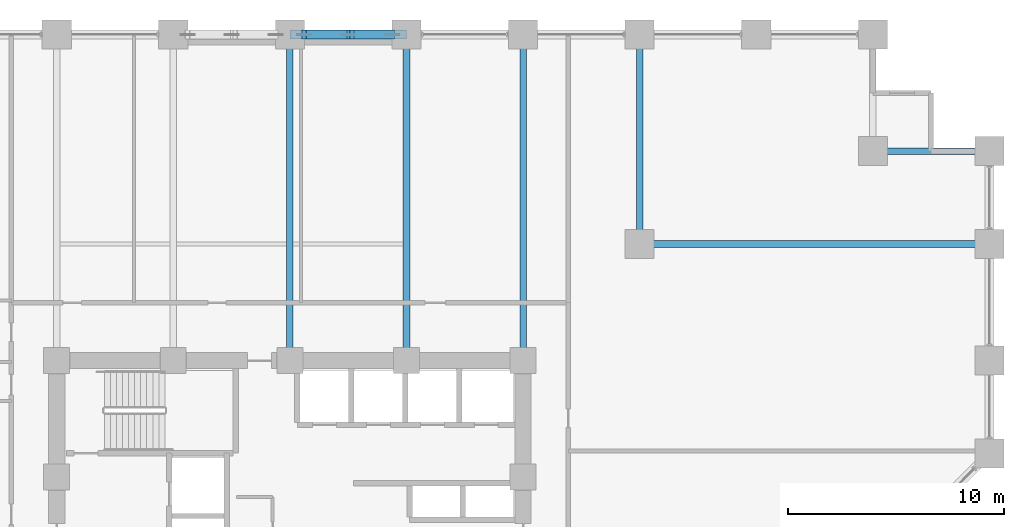
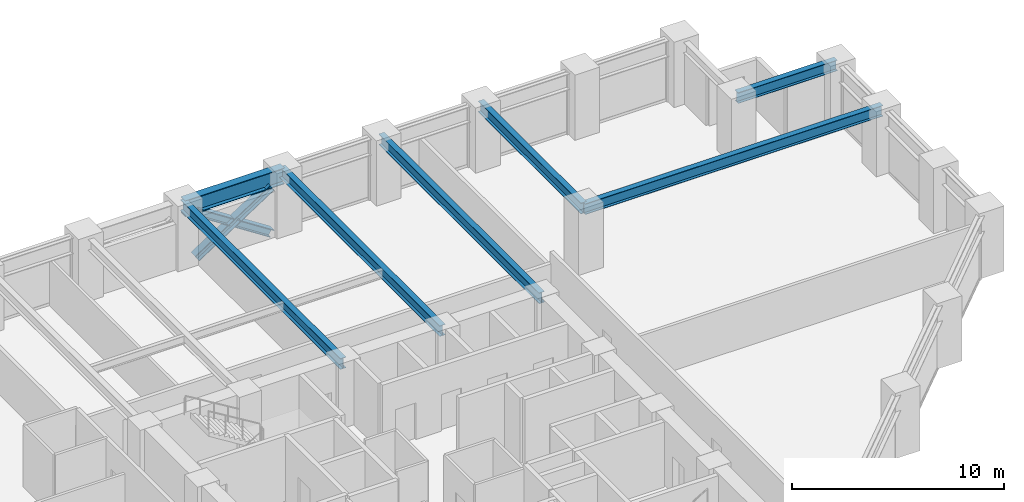
# One storey, part 14 of 25: 7 beams, 3 members.
"""IFC4 building model written with IfcOpenShell, lengths in metres."""

from ifc_helpers import new_model, si_unit, direction, frame, origin, origin_2d, place, context, subcontext, project, spatial, i_section, extrude, material, material_profile, profile_set, type_object, element, save


model = new_model("IFC4")

# Units and contexts
model_context = context("Model", 3, precision=1e-05, world=origin(), true_north=direction((0.0, 1.0)))
body_context = subcontext(model_context, "Body", "Model", "MODEL_VIEW")
ifc_project = project(units=[si_unit("LENGTHUNIT", "METRE"), si_unit("AREAUNIT", "SQUARE_METRE"), si_unit("VOLUMEUNIT", "CUBIC_METRE"), si_unit("PLANEANGLEUNIT", "RADIAN"), si_unit("MASSUNIT", "GRAM", prefix="KILO")], contexts=[model_context])

# Site, building, storey
site_placement = place(None, origin())
site = spatial("IfcSite", under=ifc_project, at=site_placement, CompositionType="ELEMENT")
building_placement = place(site_placement, origin())
building = spatial("IfcBuilding", under=site, at=building_placement, Name="Surkhivell Harbour Commons", CompositionType="ELEMENT")
storey_placement = place(building_placement, frame((0.0, 0.0, 48.75)))
storey = spatial("IfcBuildingStorey", under=building, at=storey_placement, Name="L12", CompositionType="ELEMENT", Elevation=48.75)

# Beams
ifc_material_1 = material(Name="Steel S355", Category="steel")
ifc_material_profile_1 = material_profile(ifc_material_1, i_section(OverallWidth=0.306884765625, OverallDepth=0.6201171875, WebThickness=0.01416015625, FlangeThickness=0.023681640625, at=origin_2d()), Name="UB610x305x179")
ifc_profile_set_1 = profile_set([ifc_material_profile_1], Name="Steel S355")
beam_type_1 = type_object("IfcBeamType", Name="BM-GRD-610A", PredefinedType="BEAM", material=ifc_profile_set_1)
for number, where, z_axis, x_axis, name in (
    (1, (0.0, 10.800048828125, 3.260009765625), (0.0, 1.0, 0.0), (-1.0, 0.0, 0.0), "L12 Floor Girder (0.0,10.8)"),
    (2, (5.39990234375, 10.800048828125, 3.260009765625), (0.0, 1.0, 0.0), (-1.0, 0.0, 0.0), "L12 Floor Girder (5.4,10.8)"),
    (3, (10.800048828125, 10.800048828125, 3.260009765625), (0.0, 1.0, 0.0), (-1.0, 0.0, 0.0), "L12 Floor Girder (10.8,10.8)"),
):
    element("IfcBeam", number, at=place(storey_placement, frame(where, z_axis=z_axis, x_axis=x_axis)), inside=storey, type_object=beam_type_1, Name=name, PredefinedType="BEAM", context=body_context, shape_type="SweptSolid", body=[
        extrude(i_section(OverallWidth=0.306884765625, OverallDepth=0.6201171875, WebThickness=0.01416015625, FlangeThickness=0.023681640625, at=origin_2d()), origin(), (0.0, 0.0, 1.0), 15.099853515625),
    ])
beam_1_placement = place(storey_placement, frame((16.199951171875, 16.199951171875, 3.260009765625), z_axis=(0.0, 1.0, 0.0), x_axis=(-1.0, 0.0, 0.0)))
element("IfcBeam", 4, at=beam_1_placement, inside=storey, type_object=beam_type_1, Name="L12 Floor Girder (16.2,16.2)", PredefinedType="BEAM", context=body_context, shape_type="SweptSolid", body=[
    extrude(i_section(OverallWidth=0.306884765625, OverallDepth=0.6201171875, WebThickness=0.01416015625, FlangeThickness=0.023681640625, at=origin_2d()), origin(), (0.0, 0.0, 1.0), 9.699951171875),
])
beam_2_placement = place(storey_placement, frame((16.199951171875, 16.199951171875, 3.260009765625), z_axis=(1.0, 0.0, 0.0), x_axis=(0.0, 1.0, 0.0)))
element("IfcBeam", 5, at=beam_2_placement, inside=storey, type_object=beam_type_1, Name="L12 Floor Girder (16.2,16.2)", PredefinedType="BEAM", context=body_context, shape_type="SweptSolid", body=[
    extrude(i_section(OverallWidth=0.306884765625, OverallDepth=0.6201171875, WebThickness=0.01416015625, FlangeThickness=0.023681640625, at=origin_2d()), origin(), (0.0, 0.0, 1.0), 16.199951171875),
])
beam_3_placement = place(storey_placement, frame((27.0, 20.5, 3.260009765625), z_axis=(1.0, 0.0, 0.0), x_axis=(0.0, 1.0, 0.0)))
element("IfcBeam", 6, at=beam_3_placement, inside=storey, type_object=beam_type_1, Name="L12 Floor Girder (27.0,20.5)", PredefinedType="BEAM", context=body_context, shape_type="SweptSolid", body=[
    extrude(i_section(OverallWidth=0.306884765625, OverallDepth=0.6201171875, WebThickness=0.01416015625, FlangeThickness=0.023681640625, at=origin_2d()), origin(), (0.0, 0.0, 1.0), 5.39990234375),
])
ifc_material_2 = material(Name="Steel S460", Category="steel")
ifc_material_profile_2 = material_profile(ifc_material_2, i_section(OverallWidth=0.419921875, OverallDepth=0.9208984375, WebThickness=0.021484375, FlangeThickness=0.03662109375, at=origin_2d()), Name="UB914x419x388")
ifc_profile_set_2 = profile_set([ifc_material_profile_2], Name="Steel S460")
beam_type_2 = type_object("IfcBeamType", Name="BM-SPN-914A", PredefinedType="SPANDREL", material=ifc_profile_set_2)
beam_4_placement = place(storey_placement, frame((0.0, 25.89990234375, 3.109619140625), z_axis=(1.0, 0.0, 0.0), x_axis=(0.0, 1.0, 0.0)))
element("IfcBeam", 7, at=beam_4_placement, inside=storey, type_object=beam_type_2, Name="L12 Tube Spandrel (-0.0,25.9)", PredefinedType="SPANDREL", context=body_context, shape_type="SweptSolid", body=[
    extrude(i_section(OverallWidth=0.419921875, OverallDepth=0.9208984375, WebThickness=0.021484375, FlangeThickness=0.03662109375, at=origin_2d()), origin(), (0.0, 0.0, 1.0), 5.39990234375),
])

# Members
ifc_material_profile_3 = material_profile(ifc_material_2, i_section(OverallWidth=0.406005859375, OverallDepth=0.416015625, WebThickness=0.026611328125, FlangeThickness=0.0390625, at=origin_2d()), Name="HD400x382")
ifc_profile_set_3 = profile_set([ifc_material_profile_3], Name="Steel S460")
member_type = type_object("IfcMemberType", Name="MEM-BRC-HD382", PredefinedType="BRACE", material=ifc_profile_set_3)
member_1_placement = place(storey_placement, frame((0.659912109375, 25.89990234375, 0.008056640625), z_axis=(0.83910375559, 0.0, 0.543971403067), x_axis=(0.0, 1.0, 0.0)))
element("IfcMember", 8, at=member_1_placement, inside=storey, type_object=member_type, Name="L12 Perimeter Mega-Brace MB- 04", PredefinedType="BRACE", context=body_context, shape_type="SweptSolid", body=[
    extrude(i_section(OverallWidth=0.406005859375, OverallDepth=0.416015625, WebThickness=0.026611328125, FlangeThickness=0.0390625, at=origin_2d()), origin(), (0.0, 0.0, 1.0), 4.8623046875),
])
member_2_placement = place(storey_placement, frame((4.739990234375, 25.89990234375, 0.008056640625), z_axis=(-0.83908547242, 0.0, 0.543999604756), x_axis=(0.0, -1.0, 0.0)))
element("IfcMember", 9, at=member_2_placement, inside=storey, type_object=member_type, Name="L12 Perimeter Mega-Brace MB- 05", PredefinedType="BRACE", context=body_context, shape_type="SweptSolid", body=[
    extrude(i_section(OverallWidth=0.406005859375, OverallDepth=0.416015625, WebThickness=0.026611328125, FlangeThickness=0.0390625, at=origin_2d()), origin(), (0.0, 0.0, 1.0), 2.2314453125),
])
member_3_placement = place(storey_placement, frame((2.532470703125, 25.89990234375, 1.439208984375), z_axis=(-0.839117847051, 0.0, 0.54394966565), x_axis=(0.0, -1.0, 0.0)))
element("IfcMember", 10, at=member_3_placement, inside=storey, type_object=member_type, Name="L12 Perimeter Mega-Brace MB- 06", PredefinedType="BRACE", context=body_context, shape_type="SweptSolid", body=[
    extrude(i_section(OverallWidth=0.406005859375, OverallDepth=0.416015625, WebThickness=0.026611328125, FlangeThickness=0.0390625, at=origin_2d()), origin(), (0.0, 0.0, 1.0), 2.231689453125),
])

save(model, "model.ifc")
